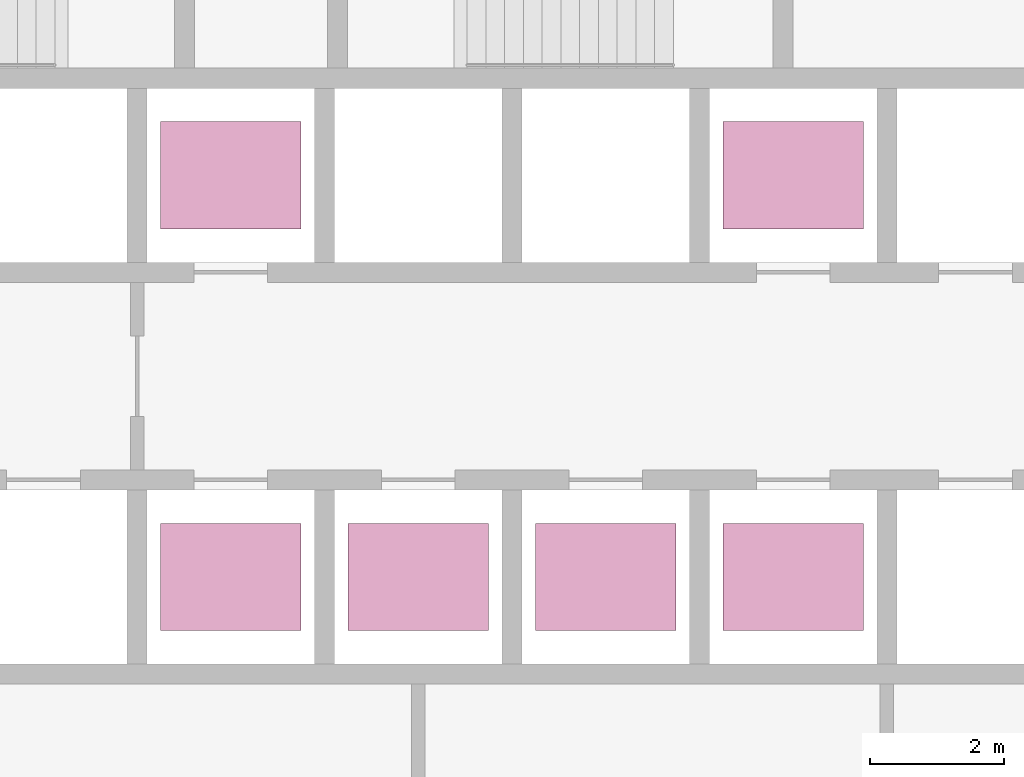
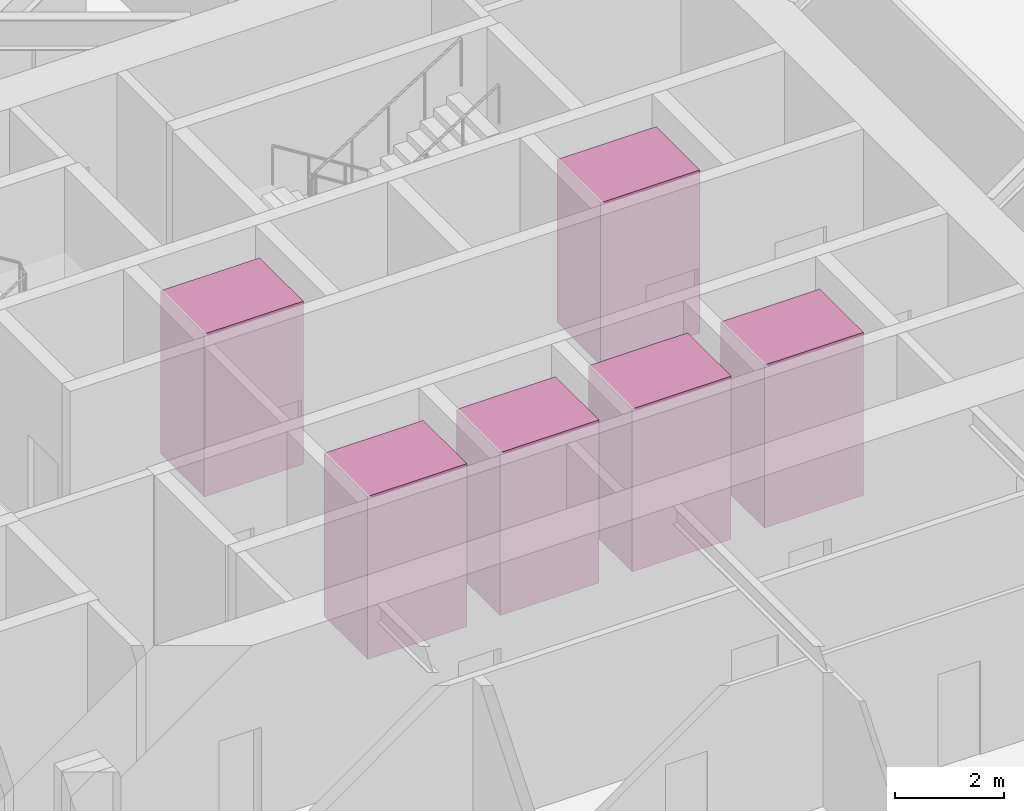
# One storey, part 21 of 21: 6 transport elements.
"""IFC4 building model written with IfcOpenShell, lengths in metres."""

from ifc_helpers import new_model, si_unit, direction, frame, origin, origin_2d, place, context, subcontext, project, spatial, rectangle, extrude, material, type_object, element, save


model = new_model("IFC4")

# Units and contexts
model_context = context("Model", 3, precision=1e-05, world=origin(), true_north=direction((0.0, 1.0)))
body_context = subcontext(model_context, "Body", "Model", "MODEL_VIEW")
ifc_project = project(units=[si_unit("LENGTHUNIT", "METRE"), si_unit("AREAUNIT", "SQUARE_METRE"), si_unit("VOLUMEUNIT", "CUBIC_METRE"), si_unit("PLANEANGLEUNIT", "RADIAN"), si_unit("MASSUNIT", "GRAM", prefix="KILO")], contexts=[model_context])

# Site, building, storey
site_placement = place(None, origin())
site = spatial("IfcSite", under=ifc_project, at=site_placement, CompositionType="ELEMENT")
building_placement = place(site_placement, origin())
building = spatial("IfcBuilding", under=site, at=building_placement, Name="Firuza Gate Tower and Library", CompositionType="ELEMENT")
storey_placement = place(building_placement, frame((0.0, 0.0, 98.800048828125)))
storey = spatial("IfcBuildingStorey", under=building, at=storey_placement, Name="L22", CompositionType="ELEMENT", Elevation=98.800048828125)

# Transport elements
ifc_material = material(Name="Stainless steel and glass", Category="steel")
transport_element_type = type_object("IfcTransportElementType", Name="Low-rise lift car 2100x1600", PredefinedType="ELEVATOR", material=ifc_material)
for number, where, z_axis, x_axis, name in (
    (1, (74.64990234375, 70.300048828125, 0.0), (0.0, 0.0, 1.0), (1.0, 0.0, 0.0), "Low-rise lift LR1"),
    (2, (77.449951171875, 70.300048828125, 0.0), (0.0, 0.0, 1.0), (1.0, 0.0, 0.0), "Low-rise lift LR2"),
    (3, (80.25, 70.300048828125, 0.0), (0.0, 0.0, 1.0), (1.0, 0.0, 0.0), "Low-rise lift LR3"),
    (4, (74.64990234375, 76.300048828125, 0.0), (0.0, 0.0, 1.0), (1.0, 0.0, 0.0), "Low-rise lift LR4"),
    (5, (83.050048828125, 70.300048828125, 0.0), (0.0, 0.0, 1.0), (1.0, 0.0, 0.0), "Low-rise lift LR5"),
    (6, (83.050048828125, 76.300048828125, 0.0), (0.0, 0.0, 1.0), (1.0, 0.0, 0.0), "Low-rise lift LR6"),
):
    element("IfcTransportElement", number, at=place(storey_placement, frame(where, z_axis=z_axis, x_axis=x_axis)), inside=storey, type_object=transport_element_type, Name=name, PredefinedType="ELEVATOR", context=body_context, shape_type="SweptSolid", body=[
        extrude(rectangle(XDim=2.10009765625, YDim=1.60009765625, at=origin_2d()), origin(), (0.0, 0.0, 1.0), 3.64990234375),
    ])

save(model, "model.ifc")
